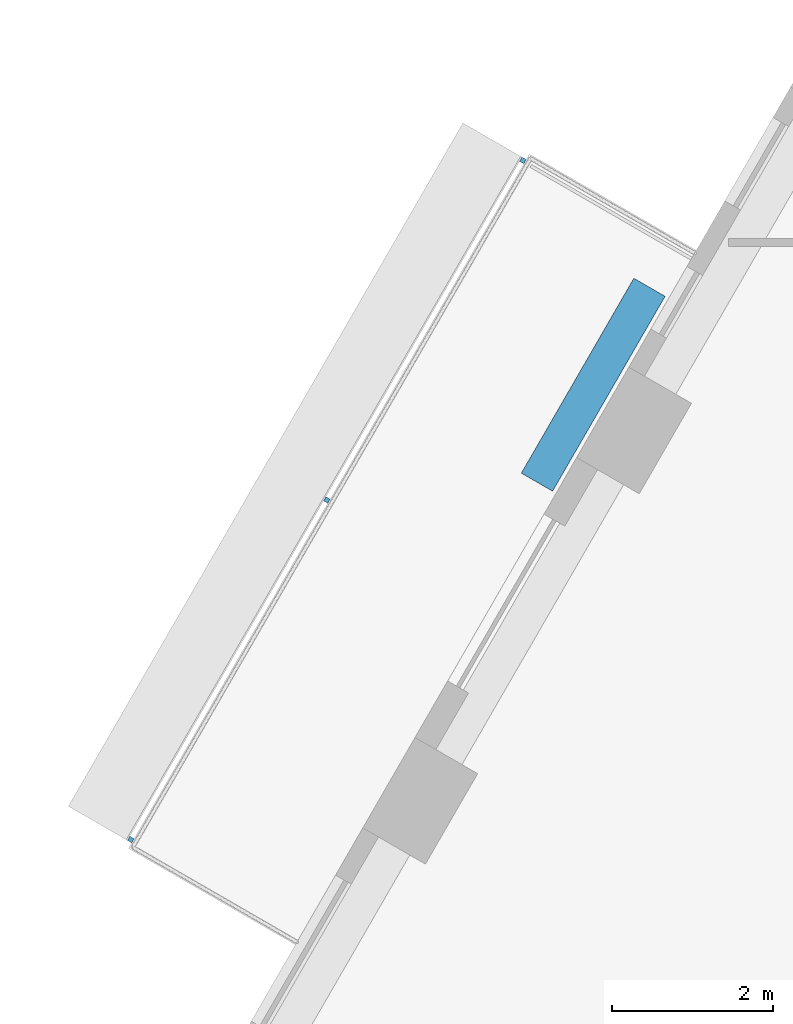
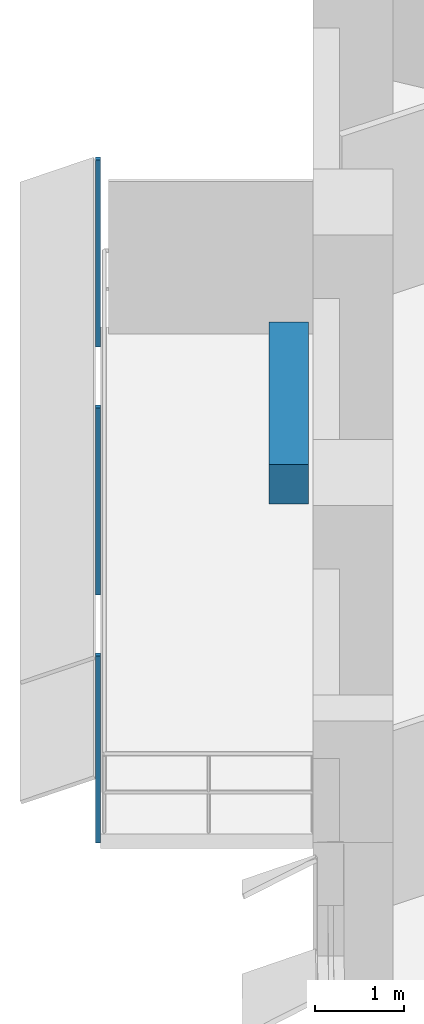
# One storey, part 10 of 13: 4 discrete accessories.
"""IFC4 building model written with IfcOpenShell, lengths in metres."""

from ifc_helpers import new_model, si_unit, direction, frame, origin, origin_2d, place, context, subcontext, project, spatial, rectangle, extrude, material, type_object, element, save


model = new_model("IFC4")

# Units and contexts
model_context = context("Model", 3, precision=1e-05, world=origin(), true_north=direction((0.0, 1.0)))
body_context = subcontext(model_context, "Body", "Model", "MODEL_VIEW")
ifc_project = project(units=[si_unit("LENGTHUNIT", "METRE"), si_unit("AREAUNIT", "SQUARE_METRE"), si_unit("VOLUMEUNIT", "CUBIC_METRE"), si_unit("PLANEANGLEUNIT", "RADIAN"), si_unit("MASSUNIT", "GRAM", prefix="KILO")], contexts=[model_context])

# Site, building, storey
site_placement = place(None, origin())
site = spatial("IfcSite", under=ifc_project, at=site_placement, CompositionType="ELEMENT")
building_placement = place(site_placement, origin())
building = spatial("IfcBuilding", under=site, at=building_placement, Name="Nakaniwa Court", CompositionType="ELEMENT")
storey_placement = place(building_placement, frame((0.0, 0.0, 143.699951171875)))
storey = spatial("IfcBuildingStorey", under=building, at=storey_placement, Name="L37", CompositionType="ELEMENT", Elevation=143.699951171875)

# Discrete accessories
ifc_material_1 = material(Name="Black powder-coated steel bracket S275", Category="steel")
discrete_accessory_type_1 = type_object("IfcDiscreteAccessoryType", Name="Black metal louvre bracket", PredefinedType="BRACKET", material=ifc_material_1)
for number, where, z_axis, x_axis, name in (
    (1, (60.970458984375, 99.899658203125, -0.229736328125), (0.0, 0.0, 1.0), (-0.500004534492, -0.866022785779, 0.0), "L37 louvre bracket 01 1"),
    (2, (58.52880859375, 95.6708984375, -0.229736328125), (0.0, 0.0, 1.0), (-0.500004534492, -0.866022785779, 0.0), "L37 louvre bracket 01 2"),
    (3, (56.08740234375, 91.442138671875, -0.229736328125), (0.0, 0.0, 1.0), (-0.500004534492, -0.866022785779, 0.0), "L37 louvre bracket 01 3"),
):
    element("IfcDiscreteAccessory", number, at=place(storey_placement, frame(where, z_axis=z_axis, x_axis=x_axis)), inside=storey, type_object=discrete_accessory_type_1, Name=name, PredefinedType="BRACKET", context=body_context, shape_type="SweptSolid", body=[
        extrude(rectangle(XDim=0.06005859375, YDim=0.06005859375, at=origin_2d()), origin(), (0.0, 0.0, 1.0), 2.5751953125),
    ])
ifc_material_2 = material(Name="Precast concrete C40/50 planter with planted soil", Category="concrete")
discrete_accessory_type_2 = type_object("IfcDiscreteAccessoryType", Name="Planter box charcoal concrete", PredefinedType="USERDEFINED", material=ifc_material_2)
discrete_accessory_placement = place(storey_placement, frame((61.845947265625, 97.106201171875, -0.0498046875), z_axis=(0.0, 0.0, 1.0), x_axis=(-0.500004534492, -0.866022785779, 0.0)))
element("IfcDiscreteAccessory", 4, at=discrete_accessory_placement, inside=storey, type_object=discrete_accessory_type_2, Name="L37 balcony PLANTER 01", ObjectType="PLANTER", PredefinedType="USERDEFINED", context=body_context, shape_type="SweptSolid", body=[
    extrude(rectangle(XDim=2.802978515625, YDim=0.449951171875, at=origin_2d()), origin(), (0.0, 0.0, 1.0), 0.550048828125),
])

save(model, "model.ifc")
